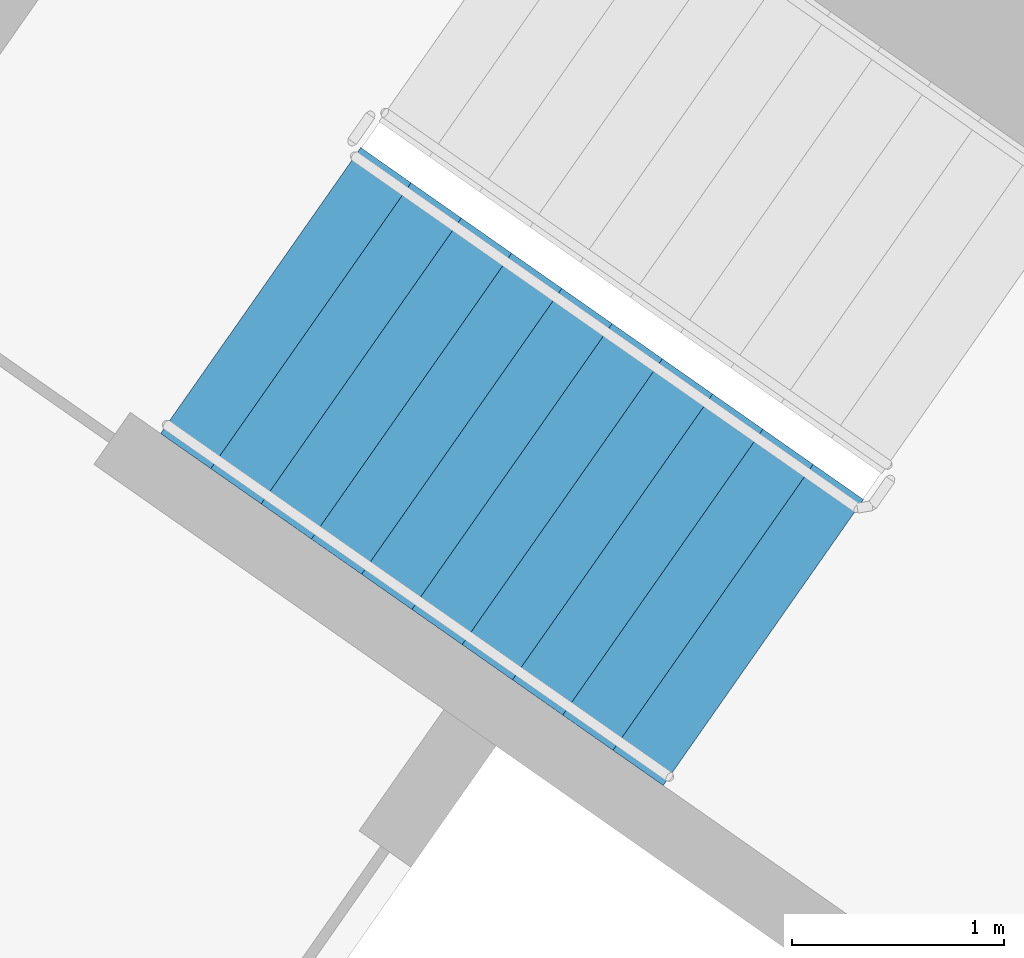
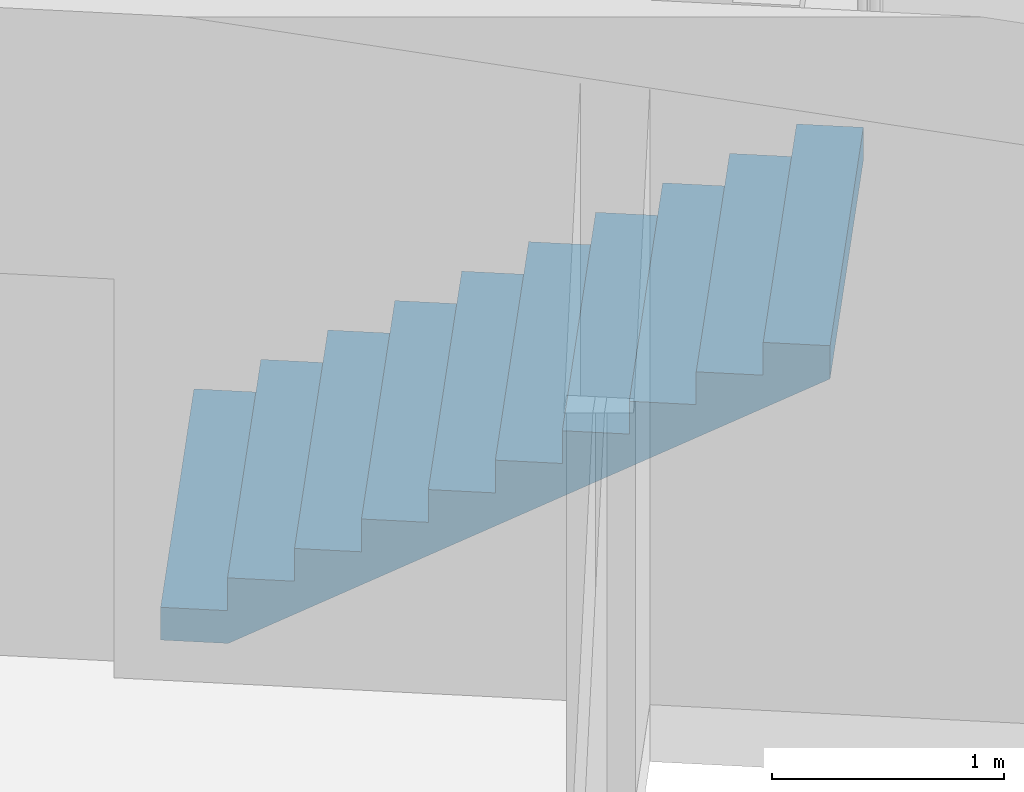
# One storey, part 12 of 28: 1 stair flight, 1 element without a shape of its own.
"""IFC4 building model written with IfcOpenShell, lengths in metres."""

from ifc_helpers import new_model, si_unit, direction, frame, origin, place, context, subcontext, project, spatial, faceted_brep, material, type_object, element, aggregate, save


model = new_model("IFC4")

# Units and contexts
model_context = context("Model", 3, precision=1e-05, world=origin(), true_north=direction((0.0, 1.0)))
body_context = subcontext(model_context, "Body", "Model", "MODEL_VIEW")
ifc_project = project(units=[si_unit("LENGTHUNIT", "METRE"), si_unit("AREAUNIT", "SQUARE_METRE"), si_unit("VOLUMEUNIT", "CUBIC_METRE"), si_unit("PLANEANGLEUNIT", "RADIAN"), si_unit("MASSUNIT", "GRAM", prefix="KILO")], contexts=[model_context])

# Site, building, storey
site_placement = place(None, origin())
site = spatial("IfcSite", under=ifc_project, at=site_placement, CompositionType="ELEMENT")
building_placement = place(site_placement, origin())
building = spatial("IfcBuilding", under=site, at=building_placement, Name="Qamariyya Broadcast Tower", CompositionType="ELEMENT")
storey_placement = place(building_placement, frame((0.0, 0.0, 230.300048828125)))
storey = spatial("IfcBuildingStorey", under=building, at=storey_placement, Name="L55", CompositionType="ELEMENT", Elevation=230.300048828125)

# Stair, stair flight
ifc_material = material(Name="Concrete C50/60", Category="concrete")
stair_type = type_object("IfcStairType", Name="Exit stair 22 risers of 173 mm", PredefinedType="HALF_TURN_STAIR", material=ifc_material)
stair_placement = place(storey_placement, origin())
stair = element("IfcStair", 1, at=stair_placement, inside=storey, type_object=stair_type, Name="L55 Stair W2", PredefinedType="HALF_TURN_STAIR")
stair_flight_type = type_object("IfcStairFlightType", Name="Exit stair flight 11 risers of 173 mm", PredefinedType="STRAIGHT", material=ifc_material)
stair_flight_placement = place(storey_placement, frame((-41.59130859375, -49.15966796875, 0.0), z_axis=(0.0, 0.0, 1.0), x_axis=(0.819152044289, -0.573576436351, 0.0)))
stair_flight = element("IfcStairFlight", 2, at=stair_flight_placement, type_object=stair_flight_type, Name="ST-W2 flight 1", NumberOfRisers=11, NumberOfTreads=10, PredefinedType="STRAIGHT", RiserHeight=0.172727273, TreadLength=0.29, context=body_context, shape_type="Brep", body=[
    faceted_brep([(0.0, 0.824951171875, 0.0), (0.0, 0.824951171875, 0.172607421875), (0.2900390625, 0.824951171875, 0.172607421875), (0.2900390625, 0.824951171875, 0.345458984375), (0.580078125, 0.824951171875, 0.345458984375), (0.580078125, 0.824951171875, 0.51806640625), (0.8701171875, 0.824951171875, 0.51806640625), (0.8701171875, 0.824951171875, 0.69091796875), (1.159912109375, 0.824951171875, 0.69091796875), (1.159912109375, 0.824951171875, 0.863525390625), (1.449951171875, 0.824951171875, 0.863525390625), (1.449951171875, 0.824951171875, 1.036376953125), (1.739990234375, 0.824951171875, 1.036376953125), (1.739990234375, 0.824951171875, 1.208984375), (2.030029296875, 0.824951171875, 1.208984375), (2.030029296875, 0.824951171875, 1.3818359375), (2.320068359375, 0.824951171875, 1.3818359375), (2.320068359375, 0.824951171875, 1.554443359375), (2.610107421875, 0.824951171875, 1.554443359375), (2.610107421875, 0.824951171875, 1.727294921875), (2.89990234375, 0.824951171875, 1.727294921875), (2.89990234375, 0.824951171875, 1.552734375), (0.29296875, 0.824951171875, 0.0), (0.29296875, -0.824951171875, 0.0), (2.89990234375, -0.824951171875, 1.552734375), (2.89990234375, -0.824951171875, 1.727294921875), (2.610107421875, -0.824951171875, 1.727294921875), (2.610107421875, -0.824951171875, 1.554443359375), (2.320068359375, -0.824951171875, 1.554443359375), (2.320068359375, -0.824951171875, 1.3818359375), (2.030029296875, -0.824951171875, 1.3818359375), (2.030029296875, -0.824951171875, 1.208984375), (1.739990234375, -0.824951171875, 1.208984375), (1.739990234375, -0.824951171875, 1.036376953125), (1.449951171875, -0.824951171875, 1.036376953125), (1.449951171875, -0.824951171875, 0.863525390625), (1.159912109375, -0.824951171875, 0.863525390625), (1.159912109375, -0.824951171875, 0.69091796875), (0.8701171875, -0.824951171875, 0.69091796875), (0.8701171875, -0.824951171875, 0.51806640625), (0.580078125, -0.824951171875, 0.51806640625), (0.580078125, -0.824951171875, 0.345458984375), (0.2900390625, -0.824951171875, 0.345458984375), (0.2900390625, -0.824951171875, 0.172607421875), (0.0, -0.824951171875, 0.172607421875), (0.0, -0.824951171875, 0.0), (0.0, 0.10009765625, 0.0), (0.0, 0.086669921875, 0.0), (0.0, 0.0732421875, 0.0), (0.0, 0.06005859375, 0.0), (0.0, 0.046630859375, 0.0), (0.0, 0.033447265625, 0.0), (0.0, 0.02001953125, 0.0), (0.0, 0.006591796875, 0.0), (0.0, -0.006591796875, 0.0), (0.0, -0.02001953125, 0.0), (0.0, -0.033447265625, 0.0), (0.0, -0.046630859375, 0.0), (0.0, -0.06005859375, 0.0), (0.0, -0.0732421875, 0.0), (0.0, -0.086669921875, 0.0), (0.0, -0.10009765625, 0.0), (0.0, -0.10009765625, 0.172607421875), (0.0, -0.086669921875, 0.172607421875), (0.0, -0.0732421875, 0.172607421875), (0.0, -0.06005859375, 0.172607421875), (0.0, -0.046630859375, 0.172607421875), (0.0, -0.033447265625, 0.172607421875), (0.0, -0.02001953125, 0.172607421875), (0.0, -0.006591796875, 0.172607421875), (0.0, 0.006591796875, 0.172607421875), (0.0, 0.02001953125, 0.172607421875), (0.0, 0.033447265625, 0.172607421875), (0.0, 0.046630859375, 0.172607421875), (0.0, 0.06005859375, 0.172607421875), (0.0, 0.0732421875, 0.172607421875), (0.0, 0.086669921875, 0.172607421875), (0.0, 0.10009765625, 0.172607421875), (0.2900390625, -0.10009765625, 0.172607421875), (0.2900390625, -0.086669921875, 0.172607421875), (0.2900390625, -0.0732421875, 0.172607421875), (0.2900390625, -0.06005859375, 0.172607421875), (0.2900390625, -0.046630859375, 0.172607421875), (0.2900390625, -0.033447265625, 0.172607421875), (0.2900390625, -0.02001953125, 0.172607421875), (0.2900390625, -0.006591796875, 0.172607421875), (0.2900390625, 0.006591796875, 0.172607421875), (0.2900390625, 0.02001953125, 0.172607421875), (0.2900390625, 0.033447265625, 0.172607421875), (0.2900390625, 0.046630859375, 0.172607421875), (0.2900390625, 0.06005859375, 0.172607421875), (0.2900390625, 0.0732421875, 0.172607421875), (0.2900390625, 0.086669921875, 0.172607421875), (0.2900390625, 0.10009765625, 0.172607421875), (0.2900390625, -0.10009765625, 0.345458984375), (0.2900390625, -0.086669921875, 0.345458984375), (0.2900390625, -0.0732421875, 0.345458984375), (0.2900390625, -0.06005859375, 0.345458984375), (0.2900390625, -0.046630859375, 0.345458984375), (0.2900390625, -0.033447265625, 0.345458984375), (0.2900390625, -0.02001953125, 0.345458984375), (0.2900390625, -0.006591796875, 0.345458984375), (0.2900390625, 0.006591796875, 0.345458984375), (0.2900390625, 0.02001953125, 0.345458984375), (0.2900390625, 0.033447265625, 0.345458984375), (0.2900390625, 0.046630859375, 0.345458984375), (0.2900390625, 0.06005859375, 0.345458984375), (0.2900390625, 0.0732421875, 0.345458984375), (0.2900390625, 0.086669921875, 0.345458984375), (0.2900390625, 0.10009765625, 0.345458984375), (0.580078125, -0.10009765625, 0.345458984375), (0.580078125, -0.086669921875, 0.345458984375), (0.580078125, -0.0732421875, 0.345458984375), (0.580078125, -0.06005859375, 0.345458984375), (0.580078125, -0.046630859375, 0.345458984375), (0.580078125, -0.033447265625, 0.345458984375), (0.580078125, -0.02001953125, 0.345458984375), (0.580078125, -0.006591796875, 0.345458984375), (0.580078125, 0.006591796875, 0.345458984375), (0.580078125, 0.02001953125, 0.345458984375), (0.580078125, 0.033447265625, 0.345458984375), (0.580078125, 0.046630859375, 0.345458984375), (0.580078125, 0.06005859375, 0.345458984375), (0.580078125, 0.0732421875, 0.345458984375), (0.580078125, 0.086669921875, 0.345458984375), (0.580078125, 0.10009765625, 0.345458984375), (0.580078125, -0.10009765625, 0.51806640625), (0.580078125, -0.086669921875, 0.51806640625), (0.580078125, -0.0732421875, 0.51806640625), (0.580078125, -0.06005859375, 0.51806640625), (0.580078125, -0.046630859375, 0.51806640625), (0.580078125, -0.033447265625, 0.51806640625), (0.580078125, -0.02001953125, 0.51806640625), (0.580078125, -0.006591796875, 0.51806640625), (0.580078125, 0.006591796875, 0.51806640625), (0.580078125, 0.02001953125, 0.51806640625), (0.580078125, 0.033447265625, 0.51806640625), (0.580078125, 0.046630859375, 0.51806640625), (0.580078125, 0.06005859375, 0.51806640625), (0.580078125, 0.0732421875, 0.51806640625), (0.580078125, 0.086669921875, 0.51806640625), (0.580078125, 0.10009765625, 0.51806640625), (0.8701171875, -0.10009765625, 0.51806640625), (0.8701171875, -0.086669921875, 0.51806640625), (0.8701171875, -0.0732421875, 0.51806640625), (0.8701171875, -0.06005859375, 0.51806640625), (0.8701171875, -0.046630859375, 0.51806640625), (0.8701171875, -0.033447265625, 0.51806640625), (0.8701171875, -0.02001953125, 0.51806640625), (0.8701171875, -0.006591796875, 0.51806640625), (0.8701171875, 0.006591796875, 0.51806640625), (0.8701171875, 0.02001953125, 0.51806640625), (0.8701171875, 0.033447265625, 0.51806640625), (0.8701171875, 0.046630859375, 0.51806640625), (0.8701171875, 0.06005859375, 0.51806640625), (0.8701171875, 0.0732421875, 0.51806640625), (0.8701171875, 0.086669921875, 0.51806640625), (0.8701171875, 0.10009765625, 0.51806640625), (0.8701171875, -0.10009765625, 0.69091796875), (0.8701171875, -0.086669921875, 0.69091796875), (0.8701171875, -0.0732421875, 0.69091796875), (0.8701171875, -0.06005859375, 0.69091796875), (0.8701171875, -0.046630859375, 0.69091796875), (0.8701171875, -0.033447265625, 0.69091796875), (0.8701171875, -0.02001953125, 0.69091796875), (0.8701171875, -0.006591796875, 0.69091796875), (0.8701171875, 0.006591796875, 0.69091796875), (0.8701171875, 0.02001953125, 0.69091796875), (0.8701171875, 0.033447265625, 0.69091796875), (0.8701171875, 0.046630859375, 0.69091796875), (0.8701171875, 0.06005859375, 0.69091796875), (0.8701171875, 0.0732421875, 0.69091796875), (0.8701171875, 0.086669921875, 0.69091796875), (0.8701171875, 0.10009765625, 0.69091796875), (1.159912109375, -0.10009765625, 0.69091796875), (1.159912109375, -0.086669921875, 0.69091796875), (1.159912109375, -0.0732421875, 0.69091796875), (1.159912109375, -0.06005859375, 0.69091796875), (1.159912109375, -0.046630859375, 0.69091796875), (1.159912109375, -0.033447265625, 0.69091796875), (1.159912109375, -0.02001953125, 0.69091796875), (1.159912109375, -0.006591796875, 0.69091796875), (1.159912109375, 0.006591796875, 0.69091796875), (1.159912109375, 0.02001953125, 0.69091796875), (1.159912109375, 0.033447265625, 0.69091796875), (1.159912109375, 0.046630859375, 0.69091796875), (1.159912109375, 0.06005859375, 0.69091796875), (1.159912109375, 0.0732421875, 0.69091796875), (1.159912109375, 0.086669921875, 0.69091796875), (1.159912109375, 0.10009765625, 0.69091796875), (1.159912109375, -0.10009765625, 0.863525390625), (1.159912109375, -0.086669921875, 0.863525390625), (1.159912109375, -0.0732421875, 0.863525390625), (1.159912109375, -0.06005859375, 0.863525390625), (1.159912109375, -0.046630859375, 0.863525390625), (1.159912109375, -0.033447265625, 0.863525390625), (1.159912109375, -0.02001953125, 0.863525390625), (1.159912109375, -0.006591796875, 0.863525390625), (1.159912109375, 0.006591796875, 0.863525390625), (1.159912109375, 0.02001953125, 0.863525390625), (1.159912109375, 0.033447265625, 0.863525390625), (1.159912109375, 0.046630859375, 0.863525390625), (1.159912109375, 0.06005859375, 0.863525390625), (1.159912109375, 0.0732421875, 0.863525390625), (1.159912109375, 0.086669921875, 0.863525390625), (1.159912109375, 0.10009765625, 0.863525390625), (1.449951171875, -0.10009765625, 0.863525390625), (1.449951171875, -0.086669921875, 0.863525390625), (1.449951171875, -0.0732421875, 0.863525390625), (1.449951171875, -0.06005859375, 0.863525390625), (1.449951171875, -0.046630859375, 0.863525390625), (1.449951171875, -0.033447265625, 0.863525390625), (1.449951171875, -0.02001953125, 0.863525390625), (1.449951171875, -0.006591796875, 0.863525390625), (1.449951171875, 0.006591796875, 0.863525390625), (1.449951171875, 0.02001953125, 0.863525390625), (1.449951171875, 0.033447265625, 0.863525390625), (1.449951171875, 0.046630859375, 0.863525390625), (1.449951171875, 0.06005859375, 0.863525390625), (1.449951171875, 0.0732421875, 0.863525390625), (1.449951171875, 0.086669921875, 0.863525390625), (1.449951171875, 0.10009765625, 0.863525390625), (1.449951171875, -0.10009765625, 1.036376953125), (1.449951171875, -0.086669921875, 1.036376953125), (1.449951171875, -0.0732421875, 1.036376953125), (1.449951171875, -0.06005859375, 1.036376953125), (1.449951171875, -0.046630859375, 1.036376953125), (1.449951171875, -0.033447265625, 1.036376953125), (1.449951171875, -0.02001953125, 1.036376953125), (1.449951171875, -0.006591796875, 1.036376953125), (1.449951171875, 0.006591796875, 1.036376953125), (1.449951171875, 0.02001953125, 1.036376953125), (1.449951171875, 0.033447265625, 1.036376953125), (1.449951171875, 0.046630859375, 1.036376953125), (1.449951171875, 0.06005859375, 1.036376953125), (1.449951171875, 0.0732421875, 1.036376953125), (1.449951171875, 0.086669921875, 1.036376953125), (1.449951171875, 0.10009765625, 1.036376953125), (1.739990234375, -0.10009765625, 1.036376953125), (1.739990234375, -0.086669921875, 1.036376953125), (1.739990234375, -0.0732421875, 1.036376953125), (1.739990234375, -0.06005859375, 1.036376953125), (1.739990234375, -0.046630859375, 1.036376953125), (1.739990234375, -0.033447265625, 1.036376953125), (1.739990234375, -0.02001953125, 1.036376953125), (1.739990234375, -0.006591796875, 1.036376953125), (1.739990234375, 0.006591796875, 1.036376953125), (1.739990234375, 0.02001953125, 1.036376953125), (1.739990234375, 0.033447265625, 1.036376953125), (1.739990234375, 0.046630859375, 1.036376953125), (1.739990234375, 0.06005859375, 1.036376953125), (1.739990234375, 0.0732421875, 1.036376953125), (1.739990234375, 0.086669921875, 1.036376953125), (1.739990234375, 0.10009765625, 1.036376953125), (1.739990234375, -0.10009765625, 1.208984375), (1.739990234375, -0.086669921875, 1.208984375), (1.739990234375, -0.0732421875, 1.208984375), (1.739990234375, -0.06005859375, 1.208984375), (1.739990234375, -0.046630859375, 1.208984375), (1.739990234375, -0.033447265625, 1.208984375), (1.739990234375, -0.02001953125, 1.208984375), (1.739990234375, -0.006591796875, 1.208984375), (1.739990234375, 0.006591796875, 1.208984375), (1.739990234375, 0.02001953125, 1.208984375), (1.739990234375, 0.033447265625, 1.208984375), (1.739990234375, 0.046630859375, 1.208984375), (1.739990234375, 0.06005859375, 1.208984375), (1.739990234375, 0.0732421875, 1.208984375), (1.739990234375, 0.086669921875, 1.208984375), (1.739990234375, 0.10009765625, 1.208984375), (2.030029296875, -0.10009765625, 1.208984375), (2.030029296875, -0.086669921875, 1.208984375), (2.030029296875, -0.0732421875, 1.208984375), (2.030029296875, -0.06005859375, 1.208984375), (2.030029296875, -0.046630859375, 1.208984375), (2.030029296875, -0.033447265625, 1.208984375), (2.030029296875, -0.02001953125, 1.208984375), (2.030029296875, -0.006591796875, 1.208984375), (2.030029296875, 0.006591796875, 1.208984375), (2.030029296875, 0.02001953125, 1.208984375), (2.030029296875, 0.033447265625, 1.208984375), (2.030029296875, 0.046630859375, 1.208984375), (2.030029296875, 0.06005859375, 1.208984375), (2.030029296875, 0.0732421875, 1.208984375), (2.030029296875, 0.086669921875, 1.208984375), (2.030029296875, 0.10009765625, 1.208984375), (2.030029296875, -0.10009765625, 1.3818359375), (2.030029296875, -0.086669921875, 1.3818359375), (2.030029296875, -0.0732421875, 1.3818359375), (2.030029296875, -0.06005859375, 1.3818359375), (2.030029296875, -0.046630859375, 1.3818359375), (2.030029296875, -0.033447265625, 1.3818359375), (2.030029296875, -0.02001953125, 1.3818359375), (2.030029296875, -0.006591796875, 1.3818359375), (2.030029296875, 0.006591796875, 1.3818359375), (2.030029296875, 0.02001953125, 1.3818359375), (2.030029296875, 0.033447265625, 1.3818359375), (2.030029296875, 0.046630859375, 1.3818359375), (2.030029296875, 0.06005859375, 1.3818359375), (2.030029296875, 0.0732421875, 1.3818359375), (2.030029296875, 0.086669921875, 1.3818359375), (2.030029296875, 0.10009765625, 1.3818359375), (2.320068359375, -0.10009765625, 1.3818359375), (2.320068359375, -0.086669921875, 1.3818359375), (2.320068359375, -0.0732421875, 1.3818359375), (2.320068359375, -0.06005859375, 1.3818359375), (2.320068359375, -0.046630859375, 1.3818359375), (2.320068359375, -0.033447265625, 1.3818359375), (2.320068359375, -0.02001953125, 1.3818359375), (2.320068359375, -0.006591796875, 1.3818359375), (2.320068359375, 0.006591796875, 1.3818359375), (2.320068359375, 0.02001953125, 1.3818359375), (2.320068359375, 0.033447265625, 1.3818359375), (2.320068359375, 0.046630859375, 1.3818359375), (2.320068359375, 0.06005859375, 1.3818359375), (2.320068359375, 0.0732421875, 1.3818359375), (2.320068359375, 0.086669921875, 1.3818359375), (2.320068359375, 0.10009765625, 1.3818359375), (2.320068359375, -0.10009765625, 1.554443359375), (2.320068359375, -0.086669921875, 1.554443359375), (2.320068359375, -0.0732421875, 1.554443359375), (2.320068359375, -0.06005859375, 1.554443359375), (2.320068359375, -0.046630859375, 1.554443359375), (2.320068359375, -0.033447265625, 1.554443359375), (2.320068359375, -0.02001953125, 1.554443359375), (2.320068359375, -0.006591796875, 1.554443359375), (2.320068359375, 0.006591796875, 1.554443359375), (2.320068359375, 0.02001953125, 1.554443359375), (2.320068359375, 0.033447265625, 1.554443359375), (2.320068359375, 0.046630859375, 1.554443359375), (2.320068359375, 0.06005859375, 1.554443359375), (2.320068359375, 0.0732421875, 1.554443359375), (2.320068359375, 0.086669921875, 1.554443359375), (2.320068359375, 0.10009765625, 1.554443359375), (2.610107421875, -0.10009765625, 1.554443359375), (2.610107421875, -0.086669921875, 1.554443359375), (2.610107421875, -0.0732421875, 1.554443359375), (2.610107421875, -0.06005859375, 1.554443359375), (2.610107421875, -0.046630859375, 1.554443359375), (2.610107421875, -0.033447265625, 1.554443359375), (2.610107421875, -0.02001953125, 1.554443359375), (2.610107421875, -0.006591796875, 1.554443359375), (2.610107421875, 0.006591796875, 1.554443359375), (2.610107421875, 0.02001953125, 1.554443359375), (2.610107421875, 0.033447265625, 1.554443359375), (2.610107421875, 0.046630859375, 1.554443359375), (2.610107421875, 0.06005859375, 1.554443359375), (2.610107421875, 0.0732421875, 1.554443359375), (2.610107421875, 0.086669921875, 1.554443359375), (2.610107421875, 0.10009765625, 1.554443359375), (2.610107421875, -0.10009765625, 1.727294921875), (2.610107421875, -0.086669921875, 1.727294921875), (2.610107421875, -0.0732421875, 1.727294921875), (2.610107421875, -0.06005859375, 1.727294921875), (2.610107421875, -0.046630859375, 1.727294921875), (2.610107421875, -0.033447265625, 1.727294921875), (2.610107421875, -0.02001953125, 1.727294921875), (2.610107421875, -0.006591796875, 1.727294921875), (2.610107421875, 0.006591796875, 1.727294921875), (2.610107421875, 0.02001953125, 1.727294921875), (2.610107421875, 0.033447265625, 1.727294921875), (2.610107421875, 0.046630859375, 1.727294921875), (2.610107421875, 0.06005859375, 1.727294921875), (2.610107421875, 0.0732421875, 1.727294921875), (2.610107421875, 0.086669921875, 1.727294921875), (2.610107421875, 0.10009765625, 1.727294921875), (2.89990234375, -0.10009765625, 1.727294921875), (2.89990234375, -0.086669921875, 1.727294921875), (2.89990234375, -0.0732421875, 1.727294921875), (2.89990234375, -0.06005859375, 1.727294921875), (2.89990234375, -0.046630859375, 1.727294921875), (2.89990234375, -0.033447265625, 1.727294921875), (2.89990234375, -0.02001953125, 1.727294921875), (2.89990234375, -0.006591796875, 1.727294921875), (2.89990234375, 0.006591796875, 1.727294921875), (2.89990234375, 0.02001953125, 1.727294921875), (2.89990234375, 0.033447265625, 1.727294921875), (2.89990234375, 0.046630859375, 1.727294921875), (2.89990234375, 0.06005859375, 1.727294921875), (2.89990234375, 0.0732421875, 1.727294921875), (2.89990234375, 0.086669921875, 1.727294921875), (2.89990234375, 0.10009765625, 1.727294921875), (2.89990234375, -0.10009765625, 1.552734375), (2.89990234375, -0.086669921875, 1.552734375), (2.89990234375, -0.0732421875, 1.552734375), (2.89990234375, -0.06005859375, 1.552734375), (2.89990234375, -0.046630859375, 1.552734375), (2.89990234375, -0.033447265625, 1.552734375), (2.89990234375, -0.02001953125, 1.552734375), (2.89990234375, -0.006591796875, 1.552734375), (2.89990234375, 0.006591796875, 1.552734375), (2.89990234375, 0.02001953125, 1.552734375), (2.89990234375, 0.033447265625, 1.552734375), (2.89990234375, 0.046630859375, 1.552734375), (2.89990234375, 0.06005859375, 1.552734375), (2.89990234375, 0.0732421875, 1.552734375), (2.89990234375, 0.086669921875, 1.552734375), (2.89990234375, 0.10009765625, 1.552734375), (0.29296875, -0.10009765625, 0.0), (0.29296875, -0.086669921875, 0.0), (0.29296875, -0.0732421875, 0.0), (0.29296875, -0.06005859375, 0.0), (0.29296875, -0.046630859375, 0.0), (0.29296875, -0.033447265625, 0.0), (0.29296875, -0.02001953125, 0.0), (0.29296875, -0.006591796875, 0.0), (0.29296875, 0.006591796875, 0.0), (0.29296875, 0.02001953125, 0.0), (0.29296875, 0.033447265625, 0.0), (0.29296875, 0.046630859375, 0.0), (0.29296875, 0.06005859375, 0.0), (0.29296875, 0.0732421875, 0.0), (0.29296875, 0.086669921875, 0.0), (0.29296875, 0.10009765625, 0.0)], [[[0, 1, 2, 3, 4, 5, 6, 7, 8, 9, 10, 11, 12, 13, 14, 15, 16, 17, 18, 19, 20, 21, 22]], [[23, 24, 25, 26, 27, 28, 29, 30, 31, 32, 33, 34, 35, 36, 37, 38, 39, 40, 41, 42, 43, 44, 45]], [[0, 46, 47, 48, 49, 50, 51, 52, 53, 54, 55, 56, 57, 58, 59, 60, 61, 45, 44, 62, 63, 64, 65, 66, 67, 68, 69, 70, 71, 72, 73, 74, 75, 76, 77, 1]], [[1, 77, 76, 75, 74, 73, 72, 71, 70, 69, 68, 67, 66, 65, 64, 63, 62, 44, 43, 78, 79, 80, 81, 82, 83, 84, 85, 86, 87, 88, 89, 90, 91, 92, 93, 2]], [[2, 93, 92, 91, 90, 89, 88, 87, 86, 85, 84, 83, 82, 81, 80, 79, 78, 43, 42, 94, 95, 96, 97, 98, 99, 100, 101, 102, 103, 104, 105, 106, 107, 108, 109, 3]], [[3, 109, 108, 107, 106, 105, 104, 103, 102, 101, 100, 99, 98, 97, 96, 95, 94, 42, 41, 110, 111, 112, 113, 114, 115, 116, 117, 118, 119, 120, 121, 122, 123, 124, 125, 4]], [[4, 125, 124, 123, 122, 121, 120, 119, 118, 117, 116, 115, 114, 113, 112, 111, 110, 41, 40, 126, 127, 128, 129, 130, 131, 132, 133, 134, 135, 136, 137, 138, 139, 140, 141, 5]], [[5, 141, 140, 139, 138, 137, 136, 135, 134, 133, 132, 131, 130, 129, 128, 127, 126, 40, 39, 142, 143, 144, 145, 146, 147, 148, 149, 150, 151, 152, 153, 154, 155, 156, 157, 6]], [[6, 157, 156, 155, 154, 153, 152, 151, 150, 149, 148, 147, 146, 145, 144, 143, 142, 39, 38, 158, 159, 160, 161, 162, 163, 164, 165, 166, 167, 168, 169, 170, 171, 172, 173, 7]], [[7, 173, 172, 171, 170, 169, 168, 167, 166, 165, 164, 163, 162, 161, 160, 159, 158, 38, 37, 174, 175, 176, 177, 178, 179, 180, 181, 182, 183, 184, 185, 186, 187, 188, 189, 8]], [[8, 189, 188, 187, 186, 185, 184, 183, 182, 181, 180, 179, 178, 177, 176, 175, 174, 37, 36, 190, 191, 192, 193, 194, 195, 196, 197, 198, 199, 200, 201, 202, 203, 204, 205, 9]], [[9, 205, 204, 203, 202, 201, 200, 199, 198, 197, 196, 195, 194, 193, 192, 191, 190, 36, 35, 206, 207, 208, 209, 210, 211, 212, 213, 214, 215, 216, 217, 218, 219, 220, 221, 10]], [[10, 221, 220, 219, 218, 217, 216, 215, 214, 213, 212, 211, 210, 209, 208, 207, 206, 35, 34, 222, 223, 224, 225, 226, 227, 228, 229, 230, 231, 232, 233, 234, 235, 236, 237, 11]], [[11, 237, 236, 235, 234, 233, 232, 231, 230, 229, 228, 227, 226, 225, 224, 223, 222, 34, 33, 238, 239, 240, 241, 242, 243, 244, 245, 246, 247, 248, 249, 250, 251, 252, 253, 12]], [[12, 253, 252, 251, 250, 249, 248, 247, 246, 245, 244, 243, 242, 241, 240, 239, 238, 33, 32, 254, 255, 256, 257, 258, 259, 260, 261, 262, 263, 264, 265, 266, 267, 268, 269, 13]], [[13, 269, 268, 267, 266, 265, 264, 263, 262, 261, 260, 259, 258, 257, 256, 255, 254, 32, 31, 270, 271, 272, 273, 274, 275, 276, 277, 278, 279, 280, 281, 282, 283, 284, 285, 14]], [[14, 285, 284, 283, 282, 281, 280, 279, 278, 277, 276, 275, 274, 273, 272, 271, 270, 31, 30, 286, 287, 288, 289, 290, 291, 292, 293, 294, 295, 296, 297, 298, 299, 300, 301, 15]], [[15, 301, 300, 299, 298, 297, 296, 295, 294, 293, 292, 291, 290, 289, 288, 287, 286, 30, 29, 302, 303, 304, 305, 306, 307, 308, 309, 310, 311, 312, 313, 314, 315, 316, 317, 16]], [[16, 317, 316, 315, 314, 313, 312, 311, 310, 309, 308, 307, 306, 305, 304, 303, 302, 29, 28, 318, 319, 320, 321, 322, 323, 324, 325, 326, 327, 328, 329, 330, 331, 332, 333, 17]], [[17, 333, 332, 331, 330, 329, 328, 327, 326, 325, 324, 323, 322, 321, 320, 319, 318, 28, 27, 334, 335, 336, 337, 338, 339, 340, 341, 342, 343, 344, 345, 346, 347, 348, 349, 18]], [[18, 349, 348, 347, 346, 345, 344, 343, 342, 341, 340, 339, 338, 337, 336, 335, 334, 27, 26, 350, 351, 352, 353, 354, 355, 356, 357, 358, 359, 360, 361, 362, 363, 364, 365, 19]], [[19, 365, 364, 363, 362, 361, 360, 359, 358, 357, 356, 355, 354, 353, 352, 351, 350, 26, 25, 366, 367, 368, 369, 370, 371, 372, 373, 374, 375, 376, 377, 378, 379, 380, 381, 20]], [[20, 381, 380, 379, 378, 377, 376, 375, 374, 373, 372, 371, 370, 369, 368, 367, 366, 25, 24, 382, 383, 384, 385, 386, 387, 388, 389, 390, 391, 392, 393, 394, 395, 396, 397, 21]], [[21, 397, 396, 395, 394, 393, 392, 391, 390, 389, 388, 387, 386, 385, 384, 383, 382, 24, 23, 398, 399, 400, 401, 402, 403, 404, 405, 406, 407, 408, 409, 410, 411, 412, 413, 22]], [[22, 413, 412, 411, 410, 409, 408, 407, 406, 405, 404, 403, 402, 401, 400, 399, 398, 23, 45, 61, 60, 59, 58, 57, 56, 55, 54, 53, 52, 51, 50, 49, 48, 47, 46, 0]]]),
])
aggregate(stair, [stair_flight])

save(model, "model.ifc")
